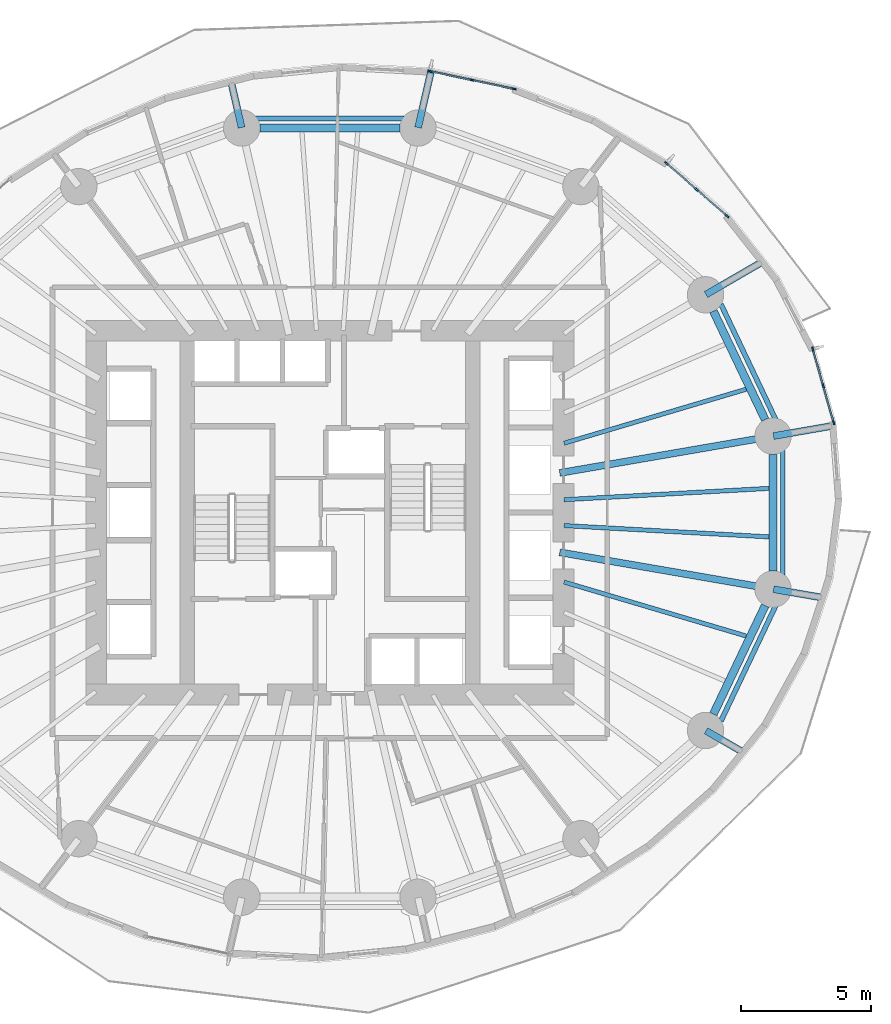
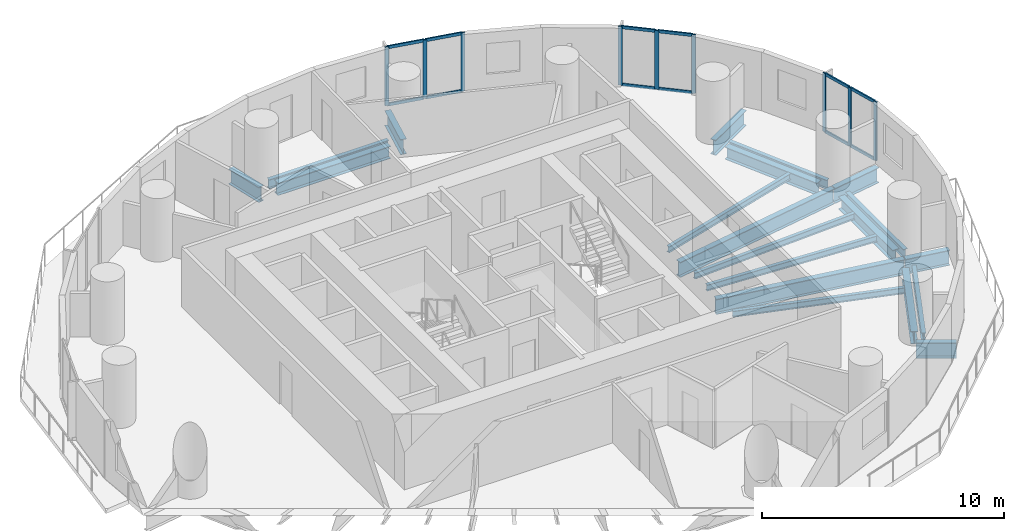
# One storey, part 5 of 14: 21 members, 20 beams, 3 elements without a shape of their own.
"""IFC4 building model written with IfcOpenShell, lengths in metres."""

from ifc_helpers import new_model, si_unit, direction, frame, origin, origin_2d, place, context, subcontext, project, spatial, rectangle, i_section, extrude, material, material_profile, profile_set, type_object, element, aggregate, save


model = new_model("IFC4")

# Units and contexts
model_context = context("Model", 3, precision=1e-05, world=origin(), true_north=direction((0.0, 1.0)))
body_context = subcontext(model_context, "Body", "Model", "MODEL_VIEW")
ifc_project = project(units=[si_unit("LENGTHUNIT", "METRE"), si_unit("AREAUNIT", "SQUARE_METRE"), si_unit("VOLUMEUNIT", "CUBIC_METRE"), si_unit("PLANEANGLEUNIT", "RADIAN"), si_unit("MASSUNIT", "GRAM", prefix="KILO")], contexts=[model_context])

# Site, building, storey
site_placement = place(None, origin())
site = spatial("IfcSite", under=ifc_project, at=site_placement, CompositionType="ELEMENT")
building_placement = place(site_placement, origin())
building = spatial("IfcBuilding", under=site, at=building_placement, Name="Veldorim Arch Residences", CompositionType="ELEMENT")
storey_placement = place(building_placement, frame((0.0, 0.0, 50.39990234375)))
storey = spatial("IfcBuildingStorey", under=building, at=storey_placement, Name="L14", CompositionType="ELEMENT", Elevation=50.39990234375)

# Beams
ifc_material_1 = material(Name="Steel S355", Category="steel")
ifc_material_profile_1 = material_profile(ifc_material_1, i_section(OverallWidth=0.30712890625, OverallDepth=0.6201171875, WebThickness=0.01416015625, FlangeThickness=0.023681640625, at=origin_2d()), Name="UB610x305x179")
ifc_profile_set_1 = profile_set([ifc_material_profile_1], Name="Steel S355")
beam_type_1 = type_object("IfcBeamType", Name="Structural Steel Beam UB610x305x179", PredefinedType="BEAM", material=ifc_profile_set_1)
beam_1_placement = place(storey_placement, frame((48.76416015625, 27.57763671875, -0.550048828125), z_axis=(-0.430776422552, 0.902458682585, 0.0), x_axis=(-0.902458682585, -0.430776422552, 0.0)))
element("IfcBeam", 1, at=beam_1_placement, inside=storey, type_object=beam_type_1, Name="L14 perimeter ring tie beam 01", PredefinedType="BEAM", context=body_context, shape_type="SweptSolid", body=[
    extrude(i_section(OverallWidth=0.30712890625, OverallDepth=0.6201171875, WebThickness=0.01416015625, FlangeThickness=0.023681640625, at=origin_2d()), origin(), (0.0, 0.0, 1.0), 4.63134765625),
])
beam_2_placement = place(storey_placement, frame((34.694580078125, 38.809814453125, -0.550048828125), z_axis=(-1.0, 0.0, 0.0), x_axis=(0.0, -1.0, 0.0)))
element("IfcBeam", 2, at=beam_2_placement, inside=storey, type_object=beam_type_1, Name="L14 perimeter ring tie beam 04", PredefinedType="BEAM", context=body_context, shape_type="SweptSolid", body=[
    extrude(i_section(OverallWidth=0.30712890625, OverallDepth=0.6201171875, WebThickness=0.01416015625, FlangeThickness=0.023681640625, at=origin_2d()), origin(), (0.0, 0.0, 1.0), 5.38916015625),
])
beam_3_placement = place(storey_placement, frame((46.76904296875, 16.24267578125, -0.550048828125), z_axis=(0.430776422552, 0.902458682585, 0.0), x_axis=(-0.902458682585, 0.430776422552, 0.0)))
element("IfcBeam", 3, at=beam_3_placement, inside=storey, type_object=beam_type_1, Name="L14 perimeter ring tie beam 15", PredefinedType="BEAM", context=body_context, shape_type="SweptSolid", body=[
    extrude(i_section(OverallWidth=0.30712890625, OverallDepth=0.6201171875, WebThickness=0.01416015625, FlangeThickness=0.023681640625, at=origin_2d()), origin(), (0.0, 0.0, 1.0), 4.63134765625),
])
beam_4_placement = place(storey_placement, frame((49.065673828125, 21.754150390625, -0.550048828125), z_axis=(0.0, 1.0, 0.0), x_axis=(-1.0, 0.0, 0.0)))
element("IfcBeam", 4, at=beam_4_placement, inside=storey, type_object=beam_type_1, Name="L14 perimeter ring tie beam 16", PredefinedType="BEAM", context=body_context, shape_type="SweptSolid", body=[
    extrude(i_section(OverallWidth=0.30712890625, OverallDepth=0.6201171875, WebThickness=0.01416015625, FlangeThickness=0.023681640625, at=origin_2d()), origin(), (0.0, 0.0, 1.0), 4.49169921875),
])
ifc_material_2 = material(Name="Steel S355", Category="steel")
ifc_material_profile_2 = material_profile(ifc_material_2, i_section(OverallWidth=0.26806640625, OverallDepth=0.769775390625, WebThickness=0.015625, FlangeThickness=0.025390625, at=origin_2d()), Name="UB762x267x197")
ifc_profile_set_2 = profile_set([ifc_material_profile_2], Name="Steel S355")
beam_type_2 = type_object("IfcBeamType", Name="Structural Steel GIRDER UB762x267x197", PredefinedType="USERDEFINED", material=ifc_profile_set_2)
beam_5_placement = place(storey_placement, frame((40.852294921875, 25.528076171875, -0.624755859375), z_axis=(0.985427548249, 0.170095699979, 0.0), x_axis=(-0.170095699979, 0.985427548249, 0.0)))
element("IfcBeam", 5, at=beam_5_placement, inside=storey, type_object=beam_type_2, Name="L14 radial floor girder 01", ObjectType="GIRDER", PredefinedType="USERDEFINED", context=body_context, shape_type="SweptSolid", body=[
    extrude(i_section(OverallWidth=0.26806640625, OverallDepth=0.769775390625, WebThickness=0.015625, FlangeThickness=0.025390625, at=origin_2d()), origin(), (0.0, 0.0, 1.0), 8.314697265625),
])
beam_6_placement = place(storey_placement, frame((49.08544921875, 26.94921875, -0.624755859375), z_axis=(0.98542353719, 0.170118935902, 0.0), x_axis=(-0.170118935902, 0.98542353719, 0.0)))
element("IfcBeam", 6, at=beam_6_placement, inside=storey, type_object=beam_type_2, Name="L14 radial edge cantilever girder 01", ObjectType="GIRDER", PredefinedType="USERDEFINED", context=body_context, shape_type="SweptSolid", body=[
    extrude(i_section(OverallWidth=0.26806640625, OverallDepth=0.769775390625, WebThickness=0.015625, FlangeThickness=0.025390625, at=origin_2d()), origin(), (0.0, 0.0, 1.0), 2.35205078125),
])
beam_7_placement = place(storey_placement, frame((46.48486328125, 32.399169921875, -0.624755859375), z_axis=(0.86507809522, 0.501637208718, 0.0), x_axis=(-0.501637208718, 0.86507809522, 0.0)))
element("IfcBeam", 7, at=beam_7_placement, inside=storey, type_object=beam_type_2, Name="L14 radial edge cantilever girder 02", ObjectType="GIRDER", PredefinedType="USERDEFINED", context=body_context, shape_type="SweptSolid", body=[
    extrude(i_section(OverallWidth=0.26806640625, OverallDepth=0.769775390625, WebThickness=0.015625, FlangeThickness=0.025390625, at=origin_2d()), origin(), (0.0, 0.0, 1.0), 2.52978515625),
])
beam_8_placement = place(storey_placement, frame((35.399169921875, 38.829345703125, -0.624755859375), z_axis=(0.223367414268, 0.974734321876, 0.0), x_axis=(-0.974734321876, 0.223367414268, 0.0)))
element("IfcBeam", 8, at=beam_8_placement, inside=storey, type_object=beam_type_2, Name="L14 radial edge cantilever girder 04", ObjectType="GIRDER", PredefinedType="USERDEFINED", context=body_context, shape_type="SweptSolid", body=[
    extrude(i_section(OverallWidth=0.26806640625, OverallDepth=0.769775390625, WebThickness=0.015625, FlangeThickness=0.025390625, at=origin_2d()), origin(), (0.0, 0.0, 1.0), 2.211181640625),
])
beam_9_placement = place(storey_placement, frame((28.600830078125, 38.829345703125, -0.624755859375), z_axis=(-0.223378778819, 0.974731717537, 0.0), x_axis=(-0.974731717537, -0.223378778819, 0.0)))
element("IfcBeam", 9, at=beam_9_placement, inside=storey, type_object=beam_type_2, Name="L14 radial edge cantilever girder 05", ObjectType="GIRDER", PredefinedType="USERDEFINED", context=body_context, shape_type="SweptSolid", body=[
    extrude(i_section(OverallWidth=0.26806640625, OverallDepth=0.769775390625, WebThickness=0.015625, FlangeThickness=0.025390625, at=origin_2d()), origin(), (0.0, 0.0, 1.0), 1.8427734375),
])
beam_10_placement = place(storey_placement, frame((46.48486328125, 15.600830078125, -0.624755859375), z_axis=(0.865102284846, -0.501595491163, 0.0), x_axis=(0.501595491163, 0.865102284846, 0.0)))
element("IfcBeam", 10, at=beam_10_placement, inside=storey, type_object=beam_type_2, Name="L14 radial edge cantilever girder 15", ObjectType="GIRDER", PredefinedType="USERDEFINED", context=body_context, shape_type="SweptSolid", body=[
    extrude(i_section(OverallWidth=0.26806640625, OverallDepth=0.769775390625, WebThickness=0.015625, FlangeThickness=0.025390625, at=origin_2d()), origin(), (0.0, 0.0, 1.0), 1.6689453125),
])
beam_11_placement = place(storey_placement, frame((40.852294921875, 22.471923828125, -0.624755859375), z_axis=(0.985427548249, -0.170095699979, 0.0), x_axis=(0.170095699979, 0.985427548249, 0.0)))
element("IfcBeam", 11, at=beam_11_placement, inside=storey, type_object=beam_type_2, Name="L14 radial floor girder 16", ObjectType="GIRDER", PredefinedType="USERDEFINED", context=body_context, shape_type="SweptSolid", body=[
    extrude(i_section(OverallWidth=0.26806640625, OverallDepth=0.769775390625, WebThickness=0.015625, FlangeThickness=0.025390625, at=origin_2d()), origin(), (0.0, 0.0, 1.0), 8.314697265625),
])
beam_12_placement = place(storey_placement, frame((49.08544921875, 21.05078125, -0.624755859375), z_axis=(0.985423095697, -0.170121493252, 0.0), x_axis=(0.170121493252, 0.985423095697, 0.0)))
element("IfcBeam", 12, at=beam_12_placement, inside=storey, type_object=beam_type_2, Name="L14 radial edge cantilever girder 16", ObjectType="GIRDER", PredefinedType="USERDEFINED", context=body_context, shape_type="SweptSolid", body=[
    extrude(i_section(OverallWidth=0.26806640625, OverallDepth=0.769775390625, WebThickness=0.015625, FlangeThickness=0.025390625, at=origin_2d()), origin(), (0.0, 0.0, 1.0), 1.943115234375),
])
ifc_material_3 = material(Name="Steel S355", Category="steel")
ifc_material_profile_3 = material_profile(ifc_material_3, i_section(OverallWidth=0.165771484375, OverallDepth=0.306640625, WebThickness=0.006591796875, FlangeThickness=0.01171875, at=origin_2d()), Name="UB305x165x46")
ifc_profile_set_3 = profile_set([ifc_material_profile_3], Name="Steel S355")
beam_type_3 = type_object("IfcBeamType", Name="Structural Steel Joist UB305x165x46", PredefinedType="JOIST", material=ifc_profile_set_3)
for number, where, z_axis, x_axis, name in (
    (13, (41.019287109375, 26.67333984375, -0.393310546875), (0.958766778771, 0.284194060325, 0.0), (-0.284194060325, 0.958766778771, 0.0), "L14 secondary radial floor joist 01-1"),
    (14, (41.019287109375, 21.32666015625, -0.393310546875), (0.958766778771, -0.284194060325, 0.0), (0.284194060325, 0.958766778771, 0.0), "L14 secondary radial floor joist 15-2"),
):
    element("IfcBeam", number, at=place(storey_placement, frame(where, z_axis=z_axis, x_axis=x_axis)), inside=storey, type_object=beam_type_3, Name=name, PredefinedType="JOIST", context=body_context, shape_type="SweptSolid", body=[
        extrude(i_section(OverallWidth=0.165771484375, OverallDepth=0.306640625, WebThickness=0.006591796875, FlangeThickness=0.01171875, at=origin_2d()), origin(), (0.0, 0.0, 1.0), 7.3115234375),
    ])
for number, where, z_axis, x_axis, name in (
    (15, (41.02001953125, 23.501708984375, -0.393310546875), (0.998478371109, -0.055144740699, 0.0), (0.055144740699, 0.998478371109, 0.0), "L14 secondary radial floor joist 16-1"),
    (16, (41.02001953125, 24.498291015625, -0.393310546875), (0.998478371109, 0.055144740699, 0.0), (-0.055144740699, 0.998478371109, 0.0), "L14 secondary radial floor joist 16-2"),
):
    element("IfcBeam", number, at=place(storey_placement, frame(where, z_axis=z_axis, x_axis=x_axis)), inside=storey, type_object=beam_type_3, Name=name, PredefinedType="JOIST", context=body_context, shape_type="SweptSolid", body=[
        extrude(i_section(OverallWidth=0.165771484375, OverallDepth=0.306640625, WebThickness=0.006591796875, FlangeThickness=0.01171875, at=origin_2d()), origin(), (0.0, 0.0, 1.0), 7.898193359375),
    ])
ifc_material_4 = material(Name="Steel S355", Category="steel")
ifc_material_profile_4 = material_profile(ifc_material_4, i_section(OverallWidth=0.19140625, OverallDepth=0.4599609375, WebThickness=0.010009765625, FlangeThickness=0.01611328125, at=origin_2d()), Name="UB457x191x82")
ifc_profile_set_4 = profile_set([ifc_material_profile_4], Name="Steel S355")
beam_type_4 = type_object("IfcBeamType", Name="Structural Steel Spandrel UB457x191x82", PredefinedType="SPANDREL", material=ifc_profile_set_4)
beam_13_placement = place(storey_placement, frame((49.176025390625, 27.56689453125, -0.489990234375), z_axis=(-0.428847831425, 0.903376741721, 0.0), x_axis=(-0.903376741721, -0.428847831425, 0.0)))
element("IfcBeam", 17, at=beam_13_placement, inside=storey, type_object=beam_type_4, Name="L14 perimeter chord spandrel beam 01", PredefinedType="SPANDREL", context=body_context, shape_type="SweptSolid", body=[
    extrude(i_section(OverallWidth=0.19140625, OverallDepth=0.4599609375, WebThickness=0.010009765625, FlangeThickness=0.01611328125, at=origin_2d()), origin(), (0.0, 0.0, 1.0), 4.932861328125),
])
beam_14_placement = place(storey_placement, frame((34.863525390625, 39.180419921875, -0.489990234375), z_axis=(-1.0, 0.0, 0.0), x_axis=(0.0, -1.0, 0.0)))
element("IfcBeam", 18, at=beam_14_placement, inside=storey, type_object=beam_type_4, Name="L14 perimeter chord spandrel beam 04", PredefinedType="SPANDREL", context=body_context, shape_type="SweptSolid", body=[
    extrude(i_section(OverallWidth=0.19140625, OverallDepth=0.4599609375, WebThickness=0.010009765625, FlangeThickness=0.01611328125, at=origin_2d()), origin(), (0.0, 0.0, 1.0), 5.72705078125),
])
beam_15_placement = place(storey_placement, frame((47.060546875, 15.976806640625, -0.489990234375), z_axis=(0.428847831425, 0.903376741721, 0.0), x_axis=(-0.903376741721, 0.428847831425, 0.0)))
element("IfcBeam", 19, at=beam_15_placement, inside=storey, type_object=beam_type_4, Name="L14 perimeter chord spandrel beam 15", PredefinedType="SPANDREL", context=body_context, shape_type="SweptSolid", body=[
    extrude(i_section(OverallWidth=0.19140625, OverallDepth=0.4599609375, WebThickness=0.010009765625, FlangeThickness=0.01611328125, at=origin_2d()), origin(), (0.0, 0.0, 1.0), 4.932861328125),
])
beam_16_placement = place(storey_placement, frame((49.440185546875, 21.60546875, -0.489990234375), z_axis=(0.0, 1.0, 0.0), x_axis=(-1.0, 0.0, 0.0)))
element("IfcBeam", 20, at=beam_16_placement, inside=storey, type_object=beam_type_4, Name="L14 perimeter chord spandrel beam 16", PredefinedType="SPANDREL", context=body_context, shape_type="SweptSolid", body=[
    extrude(i_section(OverallWidth=0.19140625, OverallDepth=0.4599609375, WebThickness=0.010009765625, FlangeThickness=0.01611328125, at=origin_2d()), origin(), (0.0, 0.0, 1.0), 4.7890625),
])

# Curtain wall, members
ifc_material_5 = material(Name="Aluminium", Category="aluminium")
curtain_wall_type = type_object("IfcCurtainWallType", Name="Zone 1 Acoustic Low-E Unitised Curtain Wall", PredefinedType="NOTDEFINED", material=ifc_material_5)
curtain_wall_1_placement = place(storey_placement, origin())
curtain_wall_1 = element("IfcCurtainWall", 21, at=curtain_wall_1_placement, inside=storey, type_object=curtain_wall_type, Name="L14 unitised curtain wall bay 01", PredefinedType="NOTDEFINED")
ifc_material_6 = material(Name="Aluminium", Category="aluminium")
ifc_material_profile_5 = material_profile(ifc_material_6, rectangle(XDim=0.06494140625, YDim=0.175048828125, at=origin_2d()), Name="ALU_MUL_65x175")
ifc_profile_set_5 = profile_set([ifc_material_profile_5], Name="Aluminium")
member_type_1 = type_object("IfcMemberType", Name="Zone 1 Acoustic Low-E Unitised Curtain Wall Mullion 65x175", PredefinedType="MULLION", material=ifc_profile_set_5)
member_1_placement = place(storey_placement, frame((50.59765625, 30.297607421875, 0.0), z_axis=(0.0, 0.0, 1.0), x_axis=(0.962071370887, 0.27279786898, 0.0)))
member_1 = element("IfcMember", 22, at=member_1_placement, type_object=member_type_1, Name="CW-Z1 mullion 1", PredefinedType="MULLION", context=body_context, shape_type="SweptSolid", body=[
    extrude(rectangle(XDim=0.06494140625, YDim=0.175048828125, at=origin_2d()), origin(), (0.0, 0.0, 1.0), 2.960205078125),
])
member_2_placement = place(storey_placement, frame((50.998291015625, 28.885009765625, 0.0), z_axis=(0.0, 0.0, 1.0), x_axis=(0.962071370887, 0.27279786898, 0.0)))
member_2 = element("IfcMember", 23, at=member_2_placement, type_object=member_type_1, Name="CW-Z1 mullion 2", PredefinedType="MULLION", context=body_context, shape_type="SweptSolid", body=[
    extrude(rectangle(XDim=0.06494140625, YDim=0.175048828125, at=origin_2d()), origin(), (0.0, 0.0, 1.0), 2.960205078125),
])
member_3_placement = place(storey_placement, frame((51.39892578125, 27.47216796875, 0.0), z_axis=(0.0, 0.0, 1.0), x_axis=(0.962071370887, 0.27279786898, 0.0)))
member_3 = element("IfcMember", 24, at=member_3_placement, type_object=member_type_1, Name="CW-Z1 mullion 3", PredefinedType="MULLION", context=body_context, shape_type="SweptSolid", body=[
    extrude(rectangle(XDim=0.06494140625, YDim=0.175048828125, at=origin_2d()), origin(), (0.0, 0.0, 1.0), 2.960205078125),
])

curtain_wall_2_placement = place(storey_placement, origin())
curtain_wall_2 = element("IfcCurtainWall", 25, at=curtain_wall_2_placement, inside=storey, type_object=curtain_wall_type, Name="L14 unitised curtain wall bay 04", PredefinedType="NOTDEFINED")
member_4_placement = place(storey_placement, frame((44.9638671875, 37.45068359375, 0.0), z_axis=(0.0, 0.0, 1.0), x_axis=(0.656718522267, 0.754135785195, 0.0)))
member_4 = element("IfcMember", 26, at=member_4_placement, type_object=member_type_1, Name="CW-Z1 mullion 1", PredefinedType="MULLION", context=body_context, shape_type="SweptSolid", body=[
    extrude(rectangle(XDim=0.06494140625, YDim=0.175048828125, at=origin_2d()), origin(), (0.0, 0.0, 1.0), 2.960205078125),
])
member_5_placement = place(storey_placement, frame((46.12890625, 36.436279296875, 0.0), z_axis=(0.0, 0.0, 1.0), x_axis=(0.656718522267, 0.754135785195, 0.0)))
member_5 = element("IfcMember", 27, at=member_5_placement, type_object=member_type_1, Name="CW-Z1 mullion 2", PredefinedType="MULLION", context=body_context, shape_type="SweptSolid", body=[
    extrude(rectangle(XDim=0.06494140625, YDim=0.175048828125, at=origin_2d()), origin(), (0.0, 0.0, 1.0), 2.960205078125),
])
member_6_placement = place(storey_placement, frame((47.293701171875, 35.421875, 0.0), z_axis=(0.0, 0.0, 1.0), x_axis=(0.656718522267, 0.754135785195, 0.0)))
member_6 = element("IfcMember", 28, at=member_6_placement, type_object=member_type_1, Name="CW-Z1 mullion 3", PredefinedType="MULLION", context=body_context, shape_type="SweptSolid", body=[
    extrude(rectangle(XDim=0.06494140625, YDim=0.175048828125, at=origin_2d()), origin(), (0.0, 0.0, 1.0), 2.960205078125),
])

curtain_wall_3_placement = place(storey_placement, origin())
curtain_wall_3 = element("IfcCurtainWall", 29, at=curtain_wall_3_placement, inside=storey, type_object=curtain_wall_type, Name="L14 unitised curtain wall bay 07", PredefinedType="NOTDEFINED")
member_7_placement = place(storey_placement, frame((35.851806640625, 41.003662109375, 0.0), z_axis=(0.0, 0.0, 1.0), x_axis=(0.207442343439, 0.978247245919, 0.0)))
member_7 = element("IfcMember", 30, at=member_7_placement, type_object=member_type_1, Name="CW-Z1 mullion 1", PredefinedType="MULLION", context=body_context, shape_type="SweptSolid", body=[
    extrude(rectangle(XDim=0.06494140625, YDim=0.175048828125, at=origin_2d()), origin(), (0.0, 0.0, 1.0), 2.960205078125),
])
member_8_placement = place(storey_placement, frame((37.470703125, 40.660400390625, 0.0), z_axis=(0.0, 0.0, 1.0), x_axis=(0.207442343439, 0.978247245919, 0.0)))
member_8 = element("IfcMember", 31, at=member_8_placement, type_object=member_type_1, Name="CW-Z1 mullion 2", PredefinedType="MULLION", context=body_context, shape_type="SweptSolid", body=[
    extrude(rectangle(XDim=0.06494140625, YDim=0.175048828125, at=origin_2d()), origin(), (0.0, 0.0, 1.0), 2.960205078125),
])
member_9_placement = place(storey_placement, frame((39.089599609375, 40.317138671875, 0.0), z_axis=(0.0, 0.0, 1.0), x_axis=(0.207442343439, 0.978247245919, 0.0)))
member_9 = element("IfcMember", 32, at=member_9_placement, type_object=member_type_1, Name="CW-Z1 mullion 3", PredefinedType="MULLION", context=body_context, shape_type="SweptSolid", body=[
    extrude(rectangle(XDim=0.06494140625, YDim=0.175048828125, at=origin_2d()), origin(), (0.0, 0.0, 1.0), 2.960205078125),
])

# Member
ifc_material_7 = material(Name="Aluminium", Category="aluminium")
ifc_material_profile_6 = material_profile(ifc_material_7, rectangle(XDim=0.06494140625, YDim=0.14990234375, at=origin_2d()), Name="ALU_TRN_65x150")
ifc_profile_set_6 = profile_set([ifc_material_profile_6], Name="Aluminium")
member_type_2 = type_object("IfcMemberType", Name="Zone 1 Acoustic Low-E Unitised Curtain Wall Transom 65x150", PredefinedType="USERDEFINED", material=ifc_profile_set_6)
member_10_placement = place(storey_placement, frame((50.606689453125, 30.266357421875, 0.03271484375), z_axis=(0.272790453274, -0.962073473599, 0.0), x_axis=(0.962073473599, 0.272790453274, 0.0)))
member_10 = element("IfcMember", 33, at=member_10_placement, type_object=member_type_2, Name="CW-Z1 transom 1.1", ObjectType="TRANSOM", PredefinedType="USERDEFINED", context=body_context, shape_type="SweptSolid", body=[
    extrude(rectangle(XDim=0.06494140625, YDim=0.14990234375, at=origin_2d()), origin(), (0.0, 0.0, 1.0), 1.4033203125),
])

member_11_placement = place(storey_placement, frame((50.606689453125, 30.266357421875, 2.927490234375), z_axis=(0.272790453274, -0.962073473599, 0.0), x_axis=(0.962073473599, 0.272790453274, 0.0)))
member_11 = element("IfcMember", 34, at=member_11_placement, type_object=member_type_2, Name="CW-Z1 transom 1.2", ObjectType="TRANSOM", PredefinedType="USERDEFINED", context=body_context, shape_type="SweptSolid", body=[
    extrude(rectangle(XDim=0.06494140625, YDim=0.14990234375, at=origin_2d()), origin(), (0.0, 0.0, 1.0), 1.4033203125),
])

member_12_placement = place(storey_placement, frame((51.00732421875, 28.853515625, 0.03271484375), z_axis=(0.272790453274, -0.962073473599, 0.0), x_axis=(0.962073473599, 0.272790453274, 0.0)))
member_12 = element("IfcMember", 35, at=member_12_placement, type_object=member_type_2, Name="CW-Z1 transom 2.1", ObjectType="TRANSOM", PredefinedType="USERDEFINED", context=body_context, shape_type="SweptSolid", body=[
    extrude(rectangle(XDim=0.06494140625, YDim=0.14990234375, at=origin_2d()), origin(), (0.0, 0.0, 1.0), 1.4033203125),
])

member_13_placement = place(storey_placement, frame((51.00732421875, 28.853515625, 2.927490234375), z_axis=(0.272790453274, -0.962073473599, 0.0), x_axis=(0.962073473599, 0.272790453274, 0.0)))
member_13 = element("IfcMember", 36, at=member_13_placement, type_object=member_type_2, Name="CW-Z1 transom 2.2", ObjectType="TRANSOM", PredefinedType="USERDEFINED", context=body_context, shape_type="SweptSolid", body=[
    extrude(rectangle(XDim=0.06494140625, YDim=0.14990234375, at=origin_2d()), origin(), (0.0, 0.0, 1.0), 1.4033203125),
])

aggregate(curtain_wall_1, [member_1, member_2, member_3, member_10, member_11, member_12, member_13])

member_14_placement = place(storey_placement, frame((44.988525390625, 37.429443359375, 0.03271484375), z_axis=(0.754107958252, -0.656750475677, 0.0), x_axis=(0.656750475677, 0.754107958252, 0.0)))
member_14 = element("IfcMember", 37, at=member_14_placement, type_object=member_type_2, Name="CW-Z1 transom 1.1", ObjectType="TRANSOM", PredefinedType="USERDEFINED", context=body_context, shape_type="SweptSolid", body=[
    extrude(rectangle(XDim=0.06494140625, YDim=0.14990234375, at=origin_2d()), origin(), (0.0, 0.0, 1.0), 1.4794921875),
])

member_15_placement = place(storey_placement, frame((44.988525390625, 37.429443359375, 2.927490234375), z_axis=(0.754107958252, -0.656750475677, 0.0), x_axis=(0.656750475677, 0.754107958252, 0.0)))
member_15 = element("IfcMember", 38, at=member_15_placement, type_object=member_type_2, Name="CW-Z1 transom 1.2", ObjectType="TRANSOM", PredefinedType="USERDEFINED", context=body_context, shape_type="SweptSolid", body=[
    extrude(rectangle(XDim=0.06494140625, YDim=0.14990234375, at=origin_2d()), origin(), (0.0, 0.0, 1.0), 1.4794921875),
])

member_16_placement = place(storey_placement, frame((46.1533203125, 36.4150390625, 0.03271484375), z_axis=(0.75409740977, -0.656762587682, 0.0), x_axis=(0.656762587682, 0.75409740977, 0.0)))
member_16 = element("IfcMember", 39, at=member_16_placement, type_object=member_type_2, Name="CW-Z1 transom 2.1", ObjectType="TRANSOM", PredefinedType="USERDEFINED", context=body_context, shape_type="SweptSolid", body=[
    extrude(rectangle(XDim=0.06494140625, YDim=0.14990234375, at=origin_2d()), origin(), (0.0, 0.0, 1.0), 1.47998046875),
])

member_17_placement = place(storey_placement, frame((46.1533203125, 36.4150390625, 2.927490234375), z_axis=(0.75409740977, -0.656762587682, 0.0), x_axis=(0.656762587682, 0.75409740977, 0.0)))
member_17 = element("IfcMember", 40, at=member_17_placement, type_object=member_type_2, Name="CW-Z1 transom 2.2", ObjectType="TRANSOM", PredefinedType="USERDEFINED", context=body_context, shape_type="SweptSolid", body=[
    extrude(rectangle(XDim=0.06494140625, YDim=0.14990234375, at=origin_2d()), origin(), (0.0, 0.0, 1.0), 1.47998046875),
])

aggregate(curtain_wall_2, [member_4, member_5, member_6, member_14, member_15, member_16, member_17])

member_18_placement = place(storey_placement, frame((35.883544921875, 40.9970703125, 0.03271484375), z_axis=(0.978247345961, -0.207441871667, 0.0), x_axis=(0.207441871667, 0.978247345961, 0.0)))
member_18 = element("IfcMember", 41, at=member_18_placement, type_object=member_type_2, Name="CW-Z1 transom 1.1", ObjectType="TRANSOM", PredefinedType="USERDEFINED", context=body_context, shape_type="SweptSolid", body=[
    extrude(rectangle(XDim=0.06494140625, YDim=0.14990234375, at=origin_2d()), origin(), (0.0, 0.0, 1.0), 1.590087890625),
])

member_19_placement = place(storey_placement, frame((35.883544921875, 40.9970703125, 2.927490234375), z_axis=(0.978247345961, -0.207441871667, 0.0), x_axis=(0.207441871667, 0.978247345961, 0.0)))
member_19 = element("IfcMember", 42, at=member_19_placement, type_object=member_type_2, Name="CW-Z1 transom 1.2", ObjectType="TRANSOM", PredefinedType="USERDEFINED", context=body_context, shape_type="SweptSolid", body=[
    extrude(rectangle(XDim=0.06494140625, YDim=0.14990234375, at=origin_2d()), origin(), (0.0, 0.0, 1.0), 1.590087890625),
])

member_20_placement = place(storey_placement, frame((37.50244140625, 40.65380859375, 0.03271484375), z_axis=(0.978247345961, -0.207441871667, 0.0), x_axis=(0.207441871667, 0.978247345961, 0.0)))
member_20 = element("IfcMember", 43, at=member_20_placement, type_object=member_type_2, Name="CW-Z1 transom 2.1", ObjectType="TRANSOM", PredefinedType="USERDEFINED", context=body_context, shape_type="SweptSolid", body=[
    extrude(rectangle(XDim=0.06494140625, YDim=0.14990234375, at=origin_2d()), origin(), (0.0, 0.0, 1.0), 1.590087890625),
])

member_21_placement = place(storey_placement, frame((37.50244140625, 40.65380859375, 2.927490234375), z_axis=(0.978247345961, -0.207441871667, 0.0), x_axis=(0.207441871667, 0.978247345961, 0.0)))
member_21 = element("IfcMember", 44, at=member_21_placement, type_object=member_type_2, Name="CW-Z1 transom 2.2", ObjectType="TRANSOM", PredefinedType="USERDEFINED", context=body_context, shape_type="SweptSolid", body=[
    extrude(rectangle(XDim=0.06494140625, YDim=0.14990234375, at=origin_2d()), origin(), (0.0, 0.0, 1.0), 1.590087890625),
])

aggregate(curtain_wall_3, [member_7, member_8, member_9, member_18, member_19, member_20, member_21])

save(model, "model.ifc")
